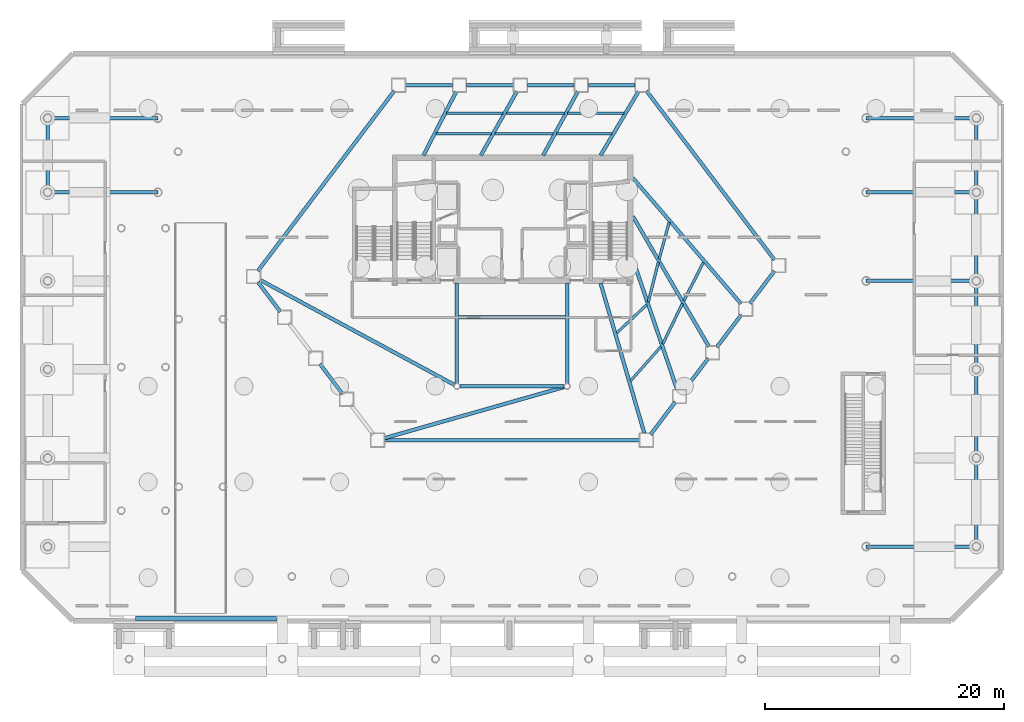
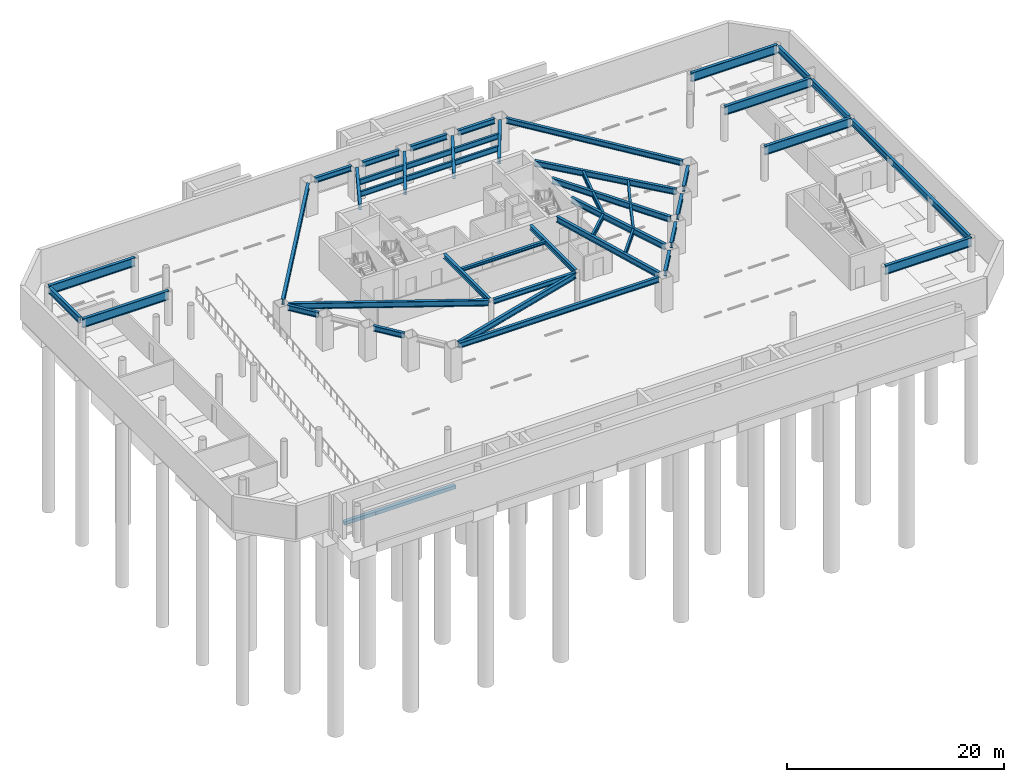
# One storey, part 7 of 19: 49 beams, 1 slab.
"""IFC4 building model written with IfcOpenShell, lengths in metres."""

from ifc_helpers import new_model, si_unit, direction, frame, origin, origin_2d, place, context, subcontext, project, spatial, polyline, i_section, outline, extrude, material, layer, layer_set, material_profile, profile_set, type_object, element, save


model = new_model("IFC4")

# Units and contexts
model_context = context("Model", 3, precision=1e-05, world=origin(), true_north=direction((0.0, 1.0)))
body_context = subcontext(model_context, "Body", "Model", "MODEL_VIEW")
ifc_project = project(units=[si_unit("LENGTHUNIT", "METRE"), si_unit("AREAUNIT", "SQUARE_METRE"), si_unit("VOLUMEUNIT", "CUBIC_METRE"), si_unit("PLANEANGLEUNIT", "RADIAN"), si_unit("MASSUNIT", "GRAM", prefix="KILO")], contexts=[model_context])

# Site, building, storey
site_placement = place(None, origin())
site = spatial("IfcSite", under=ifc_project, at=site_placement, CompositionType="ELEMENT")
building_placement = place(site_placement, origin())
building = spatial("IfcBuilding", under=site, at=building_placement, Name="Zarrinselat Tower", CompositionType="ELEMENT")
storey_placement = place(building_placement, frame((0.0, 0.0, -8.159912109375)))
storey = spatial("IfcBuildingStorey", under=building, at=storey_placement, Name="B02", CompositionType="ELEMENT", Elevation=-8.159912109375)

# Beams
ifc_material_1 = material(Name="Steel S355J2", Category="steel")
ifc_material_profile_1 = material_profile(ifc_material_1, i_section(OverallWidth=0.300048828125, OverallDepth=0.35009765625, WebThickness=0.010009765625, FlangeThickness=0.017578125, at=origin_2d()), Name="HEA 360")
ifc_profile_set_1 = profile_set([ifc_material_profile_1], Name="Steel S355J2")
beam_type_1 = type_object("IfcBeamType", Name="BM-HEA360", PredefinedType="LINTEL", material=ifc_profile_set_1)
beam_1_placement = place(storey_placement, frame((33.93994140625, 30.14990234375, 3.5849609375), z_axis=(1.0, 0.0, 0.0), x_axis=(0.0, 1.0, 0.0)))
element("IfcBeam", 1, at=beam_1_placement, inside=storey, type_object=beam_type_1, Name="B02 Lift Lobby Ceiling Beam", PredefinedType="LINTEL", context=body_context, shape_type="SweptSolid", body=[
    extrude(i_section(OverallWidth=0.300048828125, OverallDepth=0.35009765625, WebThickness=0.010009765625, FlangeThickness=0.017578125, at=origin_2d()), origin(), (0.0, 0.0, 1.0), 8.920166015625),
])
ifc_material_2 = material(Name="Steel S355J2", Category="steel")
ifc_material_profile_2 = material_profile(ifc_material_2, i_section(OverallWidth=0.300048828125, OverallDepth=0.550048828125, WebThickness=0.014892578125, FlangeThickness=0.029052734375, at=origin_2d()), Name="HEB 550")
ifc_profile_set_2 = profile_set([ifc_material_profile_2], Name="Steel S355J2")
beam_type_2 = type_object("IfcBeamType", Name="BM-HEB550", PredefinedType="BEAM", material=ifc_profile_set_2)
beam_2_placement = place(storey_placement, frame((34.0400390625, 24.39990234375, 3.48486328125), z_axis=(1.0, 0.0, 0.0), x_axis=(0.0, 1.0, 0.0)))
element("IfcBeam", 2, at=beam_2_placement, inside=storey, type_object=beam_type_2, Name="B02 Atrium Edge Beam S", PredefinedType="BEAM", context=body_context, shape_type="SweptSolid", body=[
    extrude(i_section(OverallWidth=0.300048828125, OverallDepth=0.550048828125, WebThickness=0.014892578125, FlangeThickness=0.029052734375, at=origin_2d()), origin(), (0.0, 0.0, 1.0), 8.719970703125),
])
for number, where, z_axis, x_axis, name in (
    (3, (33.800048828125, 24.639892578125, 3.48486328125), (0.0, 1.0, 0.0), (-1.0, 0.0, 0.0), "B02 Atrium Edge Beam W"),
    (4, (43.0, 24.639892578125, 3.48486328125), (0.0, 1.0, 0.0), (-1.0, 0.0, 0.0), "B02 Atrium Edge Beam E"),
):
    element("IfcBeam", number, at=place(storey_placement, frame(where, z_axis=z_axis, x_axis=x_axis)), inside=storey, type_object=beam_type_2, Name=name, PredefinedType="BEAM", context=body_context, shape_type="SweptSolid", body=[
        extrude(i_section(OverallWidth=0.300048828125, OverallDepth=0.550048828125, WebThickness=0.014892578125, FlangeThickness=0.029052734375, at=origin_2d()), origin(), (0.0, 0.0, 1.0), 8.3701171875),
    ])
ifc_material_3 = material(Name="Steel S355J2", Category="steel")
ifc_material_profile_3 = material_profile(ifc_material_3, i_section(OverallWidth=0.300048828125, OverallDepth=0.60009765625, WebThickness=0.015380859375, FlangeThickness=0.030029296875, at=origin_2d()), Name="HEB 600")
ifc_profile_set_3 = profile_set([ifc_material_profile_3], Name="Steel S355J2")
beam_type_3 = type_object("IfcBeamType", Name="BM-HEB600", PredefinedType="BEAM", material=ifc_profile_set_3)
beam_3_placement = place(storey_placement, frame((44.776611328125, 49.550048828125, 3.4599609375), z_axis=(1.0, 0.0, 0.0), x_axis=(0.0, 1.0, 0.0)))
element("IfcBeam", 5, at=beam_3_placement, inside=storey, type_object=beam_type_3, Name="B02 Perimeter Spandrel Girder SP01", PredefinedType="BEAM", context=body_context, shape_type="SweptSolid", body=[
    extrude(i_section(OverallWidth=0.300048828125, OverallDepth=0.60009765625, WebThickness=0.015380859375, FlangeThickness=0.030029296875, at=origin_2d()), origin(), (0.0, 0.0, 1.0), 3.912353515625),
])
beam_4_placement = place(storey_placement, frame((39.68798828125, 49.550048828125, 3.4599609375), z_axis=(1.0, 0.0, 0.0), x_axis=(0.0, 1.0, 0.0)))
element("IfcBeam", 6, at=beam_4_placement, inside=storey, type_object=beam_type_3, Name="B02 Perimeter Spandrel Girder SP02", PredefinedType="BEAM", context=body_context, shape_type="SweptSolid", body=[
    extrude(i_section(OverallWidth=0.300048828125, OverallDepth=0.60009765625, WebThickness=0.015380859375, FlangeThickness=0.030029296875, at=origin_2d()), origin(), (0.0, 0.0, 1.0), 3.91259765625),
])
beam_5_placement = place(storey_placement, frame((34.599609375, 49.550048828125, 3.4599609375), z_axis=(1.0, 0.0, 0.0), x_axis=(0.0, 1.0, 0.0)))
element("IfcBeam", 7, at=beam_5_placement, inside=storey, type_object=beam_type_3, Name="B02 Perimeter Spandrel Girder SP03", PredefinedType="BEAM", context=body_context, shape_type="SweptSolid", body=[
    extrude(i_section(OverallWidth=0.300048828125, OverallDepth=0.60009765625, WebThickness=0.015380859375, FlangeThickness=0.030029296875, at=origin_2d()), origin(), (0.0, 0.0, 1.0), 3.912353515625),
])
beam_6_placement = place(storey_placement, frame((29.510986328125, 49.550048828125, 3.4599609375), z_axis=(1.0, 0.0, 0.0), x_axis=(0.0, 1.0, 0.0)))
element("IfcBeam", 8, at=beam_6_placement, inside=storey, type_object=beam_type_3, Name="B02 Perimeter Spandrel Girder SP04", PredefinedType="BEAM", context=body_context, shape_type="SweptSolid", body=[
    extrude(i_section(OverallWidth=0.300048828125, OverallDepth=0.60009765625, WebThickness=0.015380859375, FlangeThickness=0.030029296875, at=origin_2d()), origin(), (0.0, 0.0, 1.0), 3.91259765625),
])
beam_7_placement = place(storey_placement, frame((17.170654296875, 34.03662109375, 3.4599609375), z_axis=(0.603848722447, 0.797098940157, 0.0), x_axis=(-0.797098940157, 0.603848722447, 0.0)))
element("IfcBeam", 9, at=beam_7_placement, inside=storey, type_object=beam_type_3, Name="B02 Perimeter Spandrel Girder SP05", PredefinedType="BEAM", context=body_context, shape_type="SweptSolid", body=[
    extrude(i_section(OverallWidth=0.300048828125, OverallDepth=0.60009765625, WebThickness=0.015380859375, FlangeThickness=0.030029296875, at=origin_2d()), origin(), (0.0, 0.0, 1.0), 18.874267578125),
])
beam_8_placement = place(storey_placement, frame((17.170654296875, 33.099365234375, 3.4599609375), z_axis=(0.603821437922, -0.797119609033, 0.0), x_axis=(0.797119609033, 0.603821437922, 0.0)))
element("IfcBeam", 10, at=beam_8_placement, inside=storey, type_object=beam_type_3, Name="B02 Perimeter Spandrel Girder SP06", PredefinedType="BEAM", context=body_context, shape_type="SweptSolid", body=[
    extrude(i_section(OverallWidth=0.300048828125, OverallDepth=0.60009765625, WebThickness=0.015380859375, FlangeThickness=0.030029296875, at=origin_2d()), origin(), (0.0, 0.0, 1.0), 3.112060546875),
])
beam_9_placement = place(storey_placement, frame((22.349365234375, 26.26318359375, 3.4599609375), z_axis=(0.603859198483, -0.797091003843, 0.0), x_axis=(0.797091003843, 0.603859198483, 0.0)))
element("IfcBeam", 11, at=beam_9_placement, inside=storey, type_object=beam_type_3, Name="B02 Perimeter Spandrel Girder SP08", PredefinedType="BEAM", context=body_context, shape_type="SweptSolid", body=[
    extrude(i_section(OverallWidth=0.300048828125, OverallDepth=0.60009765625, WebThickness=0.015380859375, FlangeThickness=0.030029296875, at=origin_2d()), origin(), (0.0, 0.0, 1.0), 3.11181640625),
])
beam_10_placement = place(storey_placement, frame((27.760986328125, 19.89599609375, 3.4599609375), z_axis=(1.0, 0.0, 0.0), x_axis=(0.0, 1.0, 0.0)))
element("IfcBeam", 12, at=beam_10_placement, inside=storey, type_object=beam_type_3, Name="B02 Perimeter Spandrel Girder SP10", PredefinedType="BEAM", context=body_context, shape_type="SweptSolid", body=[
    extrude(i_section(OverallWidth=0.300048828125, OverallDepth=0.60009765625, WebThickness=0.015380859375, FlangeThickness=0.030029296875, at=origin_2d()), origin(), (0.0, 0.0, 1.0), 21.278076171875),
])
for number, where, z_axis, x_axis, name in (
    (13, (49.982177734375, 20.36474609375, 3.4599609375), (0.603839725389, 0.797105755871, 0.0), (-0.797105755871, 0.603839725389, 0.0), "B02 Perimeter Spandrel Girder SP11"),
    (14, (52.74658203125, 24.013671875, 3.4599609375), (0.603794123872, 0.797140298804, 0.0), (-0.797140298804, 0.603794123872, 0.0), "B02 Perimeter Spandrel Girder SP12"),
    (15, (55.5107421875, 27.66259765625, 3.4599609375), (0.603839725389, 0.797105755871, 0.0), (-0.797105755871, 0.603839725389, 0.0), "B02 Perimeter Spandrel Girder SP13"),
):
    element("IfcBeam", number, at=place(storey_placement, frame(where, z_axis=z_axis, x_axis=x_axis)), inside=storey, type_object=beam_type_3, Name=name, PredefinedType="BEAM", context=body_context, shape_type="SweptSolid", body=[
        extrude(i_section(OverallWidth=0.300048828125, OverallDepth=0.60009765625, WebThickness=0.015380859375, FlangeThickness=0.030029296875, at=origin_2d()), origin(), (0.0, 0.0, 1.0), 3.40185546875),
    ])
beam_11_placement = place(storey_placement, frame((58.275146484375, 31.311767578125, 3.4599609375), z_axis=(0.603874269539, 0.797079586107, 0.0), x_axis=(-0.797079586107, 0.603874269539, 0.0)))
element("IfcBeam", 16, at=beam_11_placement, inside=storey, type_object=beam_type_3, Name="B02 Perimeter Spandrel Girder SP14", PredefinedType="BEAM", context=body_context, shape_type="SweptSolid", body=[
    extrude(i_section(OverallWidth=0.300048828125, OverallDepth=0.60009765625, WebThickness=0.015380859375, FlangeThickness=0.030029296875, at=origin_2d()), origin(), (0.0, 0.0, 1.0), 3.401611328125),
])
beam_12_placement = place(storey_placement, frame((49.632080078125, 49.081298828125, 3.4599609375), z_axis=(0.603851850525, -0.797096570446, 0.0), x_axis=(0.797096570446, 0.603851850525, 0.0)))
element("IfcBeam", 17, at=beam_12_placement, inside=storey, type_object=beam_type_3, Name="B02 Perimeter Spandrel Girder SP15", PredefinedType="BEAM", context=body_context, shape_type="SweptSolid", body=[
    extrude(i_section(OverallWidth=0.300048828125, OverallDepth=0.60009765625, WebThickness=0.015380859375, FlangeThickness=0.030029296875, at=origin_2d()), origin(), (0.0, 0.0, 1.0), 17.715087890625),
])
ifc_material_4 = material(Name="Steel S355J2", Category="steel")
ifc_material_profile_4 = material_profile(ifc_material_4, i_section(OverallWidth=0.300048828125, OverallDepth=0.64990234375, WebThickness=0.01611328125, FlangeThickness=0.031005859375, at=origin_2d()), Name="HEB 650")
ifc_profile_set_4 = profile_set([ifc_material_profile_4], Name="Steel S355J2")
beam_type_4 = type_object("IfcBeamType", Name="BM-HEB650", PredefinedType="BEAM", material=ifc_profile_set_4)
beam_13_placement = place(storey_placement, frame((45.800048828125, 43.68994140625, 3.434814453125), z_axis=(0.510264490313, 0.860017528848, 0.0), x_axis=(-0.860017528848, 0.510264490313, 0.0)))
element("IfcBeam", 18, at=beam_13_placement, inside=storey, type_object=beam_type_4, Name="B02 Radial Primary Girder RG01", PredefinedType="BEAM", context=body_context, shape_type="SweptSolid", body=[
    extrude(i_section(OverallWidth=0.300048828125, OverallDepth=0.64990234375, WebThickness=0.01611328125, FlangeThickness=0.031005859375, at=origin_2d()), origin(), (0.0, 0.0, 1.0), 6.2119140625),
])
beam_14_placement = place(storey_placement, frame((41.0, 43.68994140625, 3.434814453125), z_axis=(0.477950024599, 0.878387029723, 0.0), x_axis=(-0.878387029723, 0.477950024599, 0.0)))
element("IfcBeam", 19, at=beam_14_placement, inside=storey, type_object=beam_type_4, Name="B02 Radial Primary Girder RG02", PredefinedType="BEAM", context=body_context, shape_type="SweptSolid", body=[
    extrude(i_section(OverallWidth=0.300048828125, OverallDepth=0.64990234375, WebThickness=0.01611328125, FlangeThickness=0.031005859375, at=origin_2d()), origin(), (0.0, 0.0, 1.0), 6.0693359375),
])
beam_15_placement = place(storey_placement, frame((35.800048828125, 43.68994140625, 3.434814453125), z_axis=(0.490688992251, 0.87133478806, 0.0), x_axis=(-0.87133478806, 0.490688992251, 0.0)))
element("IfcBeam", 20, at=beam_15_placement, inside=storey, type_object=beam_type_4, Name="B02 Radial Primary Girder RG03", PredefinedType="BEAM", context=body_context, shape_type="SweptSolid", body=[
    extrude(i_section(OverallWidth=0.300048828125, OverallDepth=0.64990234375, WebThickness=0.01611328125, FlangeThickness=0.031005859375, at=origin_2d()), origin(), (0.0, 0.0, 1.0), 6.123291015625),
])
beam_16_placement = place(storey_placement, frame((31.0, 43.68994140625, 3.434814453125), z_axis=(0.457071554936, 0.889429926227, 0.0), x_axis=(-0.889429926227, 0.457071554936, 0.0)))
element("IfcBeam", 21, at=beam_16_placement, inside=storey, type_object=beam_type_4, Name="B02 Radial Primary Girder RG04", PredefinedType="BEAM", context=body_context, shape_type="SweptSolid", body=[
    extrude(i_section(OverallWidth=0.300048828125, OverallDepth=0.64990234375, WebThickness=0.01611328125, FlangeThickness=0.031005859375, at=origin_2d()), origin(), (0.0, 0.0, 1.0), 5.986572265625),
])
beam_17_placement = place(storey_placement, frame((17.34521484375, 33.281982421875, 3.434814453125), z_axis=(0.879987931642, -0.474996042262, 0.0), x_axis=(0.474996042262, 0.879987931642, 0.0)))
element("IfcBeam", 22, at=beam_17_placement, inside=storey, type_object=beam_type_4, Name="B02 Radial Primary Girder RG06", PredefinedType="BEAM", context=body_context, shape_type="SweptSolid", body=[
    extrude(i_section(OverallWidth=0.300048828125, OverallDepth=0.64990234375, WebThickness=0.01611328125, FlangeThickness=0.031005859375, at=origin_2d()), origin(), (0.0, 0.0, 1.0), 18.448974609375),
])
beam_18_placement = place(storey_placement, frame((27.751953125, 20.060791015625, 3.434814453125), z_axis=(0.961813317546, 0.273706306451, 0.0), x_axis=(-0.273706306451, 0.961813317546, 0.0)))
element("IfcBeam", 23, at=beam_18_placement, inside=storey, type_object=beam_type_4, Name="B02 Radial Primary Girder RG10", PredefinedType="BEAM", context=body_context, shape_type="SweptSolid", body=[
    extrude(i_section(OverallWidth=0.300048828125, OverallDepth=0.64990234375, WebThickness=0.01611328125, FlangeThickness=0.031005859375, at=origin_2d()), origin(), (0.0, 0.0, 1.0), 15.603515625),
])
beam_19_placement = place(storey_placement, frame((45.800048828125, 33.010009765625, 3.434814453125), z_axis=(0.280146446872, -0.959957274208, 0.0), x_axis=(0.959957274208, 0.280146446872, 0.0)))
element("IfcBeam", 24, at=beam_19_placement, inside=storey, type_object=beam_type_4, Name="B02 Radial Primary Girder RG11", PredefinedType="BEAM", context=body_context, shape_type="SweptSolid", body=[
    extrude(i_section(OverallWidth=0.300048828125, OverallDepth=0.64990234375, WebThickness=0.01611328125, FlangeThickness=0.031005859375, at=origin_2d()), origin(), (0.0, 0.0, 1.0), 13.05908203125),
])
beam_20_placement = place(storey_placement, frame((48.5, 35.0, 3.434814453125), z_axis=(0.321657151758, -0.946856206994, 0.0), x_axis=(0.946856206994, 0.321657151758, 0.0)))
element("IfcBeam", 25, at=beam_20_placement, inside=storey, type_object=beam_type_4, Name="B02 Radial Primary Girder RG12", PredefinedType="BEAM", context=body_context, shape_type="SweptSolid", body=[
    extrude(i_section(OverallWidth=0.300048828125, OverallDepth=0.64990234375, WebThickness=0.01611328125, FlangeThickness=0.031005859375, at=origin_2d()), origin(), (0.0, 0.0, 1.0), 11.495849609375),
])
beam_21_placement = place(storey_placement, frame((48.5, 38.60009765625, 3.434814453125), z_axis=(0.50399747949, -0.863705123678, 0.0), x_axis=(0.863705123678, 0.50399747949, 0.0)))
element("IfcBeam", 26, at=beam_21_placement, inside=storey, type_object=beam_type_4, Name="B02 Radial Primary Girder RG13", PredefinedType="BEAM", context=body_context, shape_type="SweptSolid", body=[
    extrude(i_section(OverallWidth=0.300048828125, OverallDepth=0.64990234375, WebThickness=0.01611328125, FlangeThickness=0.031005859375, at=origin_2d()), origin(), (0.0, 0.0, 1.0), 12.603759765625),
])
beam_22_placement = place(storey_placement, frame((48.5, 41.800048828125, 3.434814453125), z_axis=(0.651921697531, -0.758286291771, 0.0), x_axis=(0.758286291771, 0.651921697531, 0.0)))
element("IfcBeam", 27, at=beam_22_placement, inside=storey, type_object=beam_type_4, Name="B02 Radial Primary Girder RG14", PredefinedType="BEAM", context=body_context, shape_type="SweptSolid", body=[
    extrude(i_section(OverallWidth=0.300048828125, OverallDepth=0.64990234375, WebThickness=0.01611328125, FlangeThickness=0.031005859375, at=origin_2d()), origin(), (0.0, 0.0, 1.0), 13.84765625),
])
ifc_material_5 = material(Name="Steel S355J2", Category="steel")
ifc_material_profile_5 = material_profile(ifc_material_5, i_section(OverallWidth=0.300048828125, OverallDepth=0.699951171875, WebThickness=0.01708984375, FlangeThickness=0.031982421875, at=origin_2d()), Name="HEB 700")
ifc_profile_set_5 = profile_set([ifc_material_profile_5], Name="Steel S355J2")
beam_type_5 = type_object("IfcBeamType", Name="BM-HEB700", PredefinedType="SPANDREL", material=ifc_profile_set_5)
beam_23_placement = place(storey_placement, frame((-0.39990234375, 40.89990234375, 3.409912109375), z_axis=(0.0, 1.0, 0.0), x_axis=(-1.0, 0.0, 0.0)))
element("IfcBeam", 28, at=beam_23_placement, inside=storey, type_object=beam_type_5, Name="B02 Podium Perimeter Beam W-40", PredefinedType="SPANDREL", context=body_context, shape_type="SweptSolid", body=[
    extrude(i_section(OverallWidth=0.300048828125, OverallDepth=0.699951171875, WebThickness=0.01708984375, FlangeThickness=0.031982421875, at=origin_2d()), origin(), (0.0, 0.0, 1.0), 5.60009765625),
])
beam_24_placement = place(storey_placement, frame((77.199951171875, 11.300048828125, 3.409912109375), z_axis=(0.0, 1.0, 0.0), x_axis=(-1.0, 0.0, 0.0)))
element("IfcBeam", 29, at=beam_24_placement, inside=storey, type_object=beam_type_5, Name="B02 Podium Perimeter Beam E-11", PredefinedType="SPANDREL", context=body_context, shape_type="SweptSolid", body=[
    extrude(i_section(OverallWidth=0.300048828125, OverallDepth=0.699951171875, WebThickness=0.01708984375, FlangeThickness=0.031982421875, at=origin_2d()), origin(), (0.0, 0.0, 1.0), 21.599853515625),
])
beam_25_placement = place(storey_placement, frame((77.199951171875, 33.5, 3.409912109375), z_axis=(0.0, 1.0, 0.0), x_axis=(-1.0, 0.0, 0.0)))
element("IfcBeam", 30, at=beam_25_placement, inside=storey, type_object=beam_type_5, Name="B02 Podium Perimeter Beam E-33", PredefinedType="SPANDREL", context=body_context, shape_type="SweptSolid", body=[
    extrude(i_section(OverallWidth=0.300048828125, OverallDepth=0.699951171875, WebThickness=0.01708984375, FlangeThickness=0.031982421875, at=origin_2d()), origin(), (0.0, 0.0, 1.0), 6.800048828125),
])
beam_26_placement = place(storey_placement, frame((77.199951171875, 40.89990234375, 3.409912109375), z_axis=(0.0, 1.0, 0.0), x_axis=(-1.0, 0.0, 0.0)))
element("IfcBeam", 31, at=beam_26_placement, inside=storey, type_object=beam_type_5, Name="B02 Podium Perimeter Beam E-40", PredefinedType="SPANDREL", context=body_context, shape_type="SweptSolid", body=[
    extrude(i_section(OverallWidth=0.300048828125, OverallDepth=0.699951171875, WebThickness=0.01708984375, FlangeThickness=0.031982421875, at=origin_2d()), origin(), (0.0, 0.0, 1.0), 5.60009765625),
])
ifc_material_6 = material(Name="Steel S355J2", Category="steel")
ifc_material_profile_6 = material_profile(ifc_material_6, i_section(OverallWidth=0.219970703125, OverallDepth=0.60009765625, WebThickness=0.011962890625, FlangeThickness=0.01904296875, at=origin_2d()), Name="IPE 600")
ifc_profile_set_6 = profile_set([ifc_material_profile_6], Name="Steel S355J2")
beam_type_6 = type_object("IfcBeamType", Name="BM-IPE600", PredefinedType="JOIST", material=ifc_profile_set_6)
beam_27_placement = place(storey_placement, frame((48.307373046875, 24.841064453125, 3.4599609375), z_axis=(0.662804736598, 0.748792281707, 0.0), x_axis=(-0.748792281707, 0.662804736598, 0.0)))
element("IfcBeam", 32, at=beam_27_placement, inside=storey, type_object=beam_type_6, Name="B02 Composite Floor Joist 3-1", PredefinedType="JOIST", context=body_context, shape_type="SweptSolid", body=[
    extrude(i_section(OverallWidth=0.219970703125, OverallDepth=0.60009765625, WebThickness=0.011962890625, FlangeThickness=0.01904296875, at=origin_2d()), origin(), (0.0, 0.0, 1.0), 3.8330078125),
])
beam_28_placement = place(storey_placement, frame((47.145751953125, 28.843505859375, 3.4599609375), z_axis=(0.728530747555, 0.685013101967, 0.0), x_axis=(-0.685013101967, 0.728530747555, 0.0)))
element("IfcBeam", 33, at=beam_28_placement, inside=storey, type_object=beam_type_6, Name="B02 Composite Floor Joist 3-2", PredefinedType="JOIST", context=body_context, shape_type="SweptSolid", body=[
    extrude(i_section(OverallWidth=0.219970703125, OverallDepth=0.60009765625, WebThickness=0.011962890625, FlangeThickness=0.01904296875, at=origin_2d()), origin(), (0.0, 0.0, 1.0), 3.444580078125),
])
beam_29_placement = place(storey_placement, frame((51.001708984375, 27.94189453125, 3.4599609375), z_axis=(0.437666353615, 0.899137454961, 0.0), x_axis=(-0.899137454961, 0.437666353615, 0.0)))
element("IfcBeam", 34, at=beam_29_placement, inside=storey, type_object=beam_type_6, Name="B02 Composite Floor Joist 4-1", PredefinedType="JOIST", context=body_context, shape_type="SweptSolid", body=[
    extrude(i_section(OverallWidth=0.219970703125, OverallDepth=0.60009765625, WebThickness=0.011962890625, FlangeThickness=0.01904296875, at=origin_2d()), origin(), (0.0, 0.0, 1.0), 3.722900390625),
])
beam_30_placement = place(storey_placement, frame((49.791259765625, 31.434814453125, 3.4599609375), z_axis=(0.243205254387, 0.96997484722, 0.0), x_axis=(-0.96997484722, 0.243205254387, 0.0)))
element("IfcBeam", 35, at=beam_30_placement, inside=storey, type_object=beam_type_6, Name="B02 Composite Floor Joist 4-2", PredefinedType="JOIST", context=body_context, shape_type="SweptSolid", body=[
    extrude(i_section(OverallWidth=0.219970703125, OverallDepth=0.60009765625, WebThickness=0.011962890625, FlangeThickness=0.01904296875, at=origin_2d()), origin(), (0.0, 0.0, 1.0), 3.43115234375),
])
beam_31_placement = place(storey_placement, frame((52.756103515625, 31.539794921875, 3.4599609375), z_axis=(0.455144518373, 0.890417580349, 0.0), x_axis=(-0.890417580349, 0.455144518373, 0.0)))
element("IfcBeam", 36, at=beam_31_placement, inside=storey, type_object=beam_type_6, Name="B02 Composite Floor Joist 5-1", PredefinedType="JOIST", context=body_context, shape_type="SweptSolid", body=[
    extrude(i_section(OverallWidth=0.219970703125, OverallDepth=0.60009765625, WebThickness=0.011962890625, FlangeThickness=0.01904296875, at=origin_2d()), origin(), (0.0, 0.0, 1.0), 3.599853515625),
])
beam_32_placement = place(storey_placement, frame((50.69677734375, 35.03369140625, 3.4599609375), z_axis=(0.26337130416, 0.964694540331, 0.0), x_axis=(-0.964694540331, 0.26337130416, 0.0)))
element("IfcBeam", 37, at=beam_32_placement, inside=storey, type_object=beam_type_6, Name="B02 Composite Floor Joist 5-2", PredefinedType="JOIST", context=body_context, shape_type="SweptSolid", body=[
    extrude(i_section(OverallWidth=0.219970703125, OverallDepth=0.60009765625, WebThickness=0.011962890625, FlangeThickness=0.01904296875, at=origin_2d()), origin(), (0.0, 0.0, 1.0), 3.173095703125),
])
beam_33_placement = place(storey_placement, frame((43.054443359375, 47.208740234375, 3.4599609375), z_axis=(0.999998864297, 0.00150711813, 0.0), x_axis=(-0.00150711813, 0.999998864297, 0.0)))
element("IfcBeam", 38, at=beam_33_placement, inside=storey, type_object=beam_type_6, Name="B02 Composite Floor Joist 7-1", PredefinedType="JOIST", context=body_context, shape_type="SweptSolid", body=[
    extrude(i_section(OverallWidth=0.219970703125, OverallDepth=0.60009765625, WebThickness=0.011962890625, FlangeThickness=0.01904296875, at=origin_2d()), origin(), (0.0, 0.0, 1.0), 4.69775390625),
])
beam_34_placement = place(storey_placement, frame((42.126220703125, 45.502685546875, 3.4599609375), z_axis=(0.999999684692, 0.000794112725, 0.0), x_axis=(-0.000794112725, 0.999999684692, 0.0)))
element("IfcBeam", 39, at=beam_34_placement, inside=storey, type_object=beam_type_6, Name="B02 Composite Floor Joist 7-2", PredefinedType="JOIST", context=body_context, shape_type="SweptSolid", body=[
    extrude(i_section(OverallWidth=0.219970703125, OverallDepth=0.60009765625, WebThickness=0.011962890625, FlangeThickness=0.01904296875, at=origin_2d()), origin(), (0.0, 0.0, 1.0), 4.611572265625),
])
beam_35_placement = place(storey_placement, frame((37.923095703125, 47.21142578125, 3.4599609375), z_axis=(0.99999984678, -0.000553570445, 0.0), x_axis=(0.000553570445, 0.99999984678, 0.0)))
element("IfcBeam", 40, at=beam_35_placement, inside=storey, type_object=beam_type_6, Name="B02 Composite Floor Joist 8-1", PredefinedType="JOIST", context=body_context, shape_type="SweptSolid", body=[
    extrude(i_section(OverallWidth=0.219970703125, OverallDepth=0.60009765625, WebThickness=0.011962890625, FlangeThickness=0.01904296875, at=origin_2d()), origin(), (0.0, 0.0, 1.0), 4.851318359375),
])
beam_36_placement = place(storey_placement, frame((36.961669921875, 45.50390625, 3.4599609375), z_axis=(0.999999968772, -0.000249912523, 0.0), x_axis=(0.000249912523, 0.999999968772, 0.0)))
element("IfcBeam", 41, at=beam_36_placement, inside=storey, type_object=beam_type_6, Name="B02 Composite Floor Joist 8-2", PredefinedType="JOIST", context=body_context, shape_type="SweptSolid", body=[
    extrude(i_section(OverallWidth=0.219970703125, OverallDepth=0.60009765625, WebThickness=0.011962890625, FlangeThickness=0.01904296875, at=origin_2d()), origin(), (0.0, 0.0, 1.0), 4.884521484375),
])
beam_37_placement = place(storey_placement, frame((32.946044921875, 47.204345703125, 3.4599609375), z_axis=(0.99999894094, 0.001455375557, 0.0), x_axis=(-0.001455375557, 0.99999894094, 0.0)))
element("IfcBeam", 42, at=beam_37_placement, inside=storey, type_object=beam_type_6, Name="B02 Composite Floor Joist 9-1", PredefinedType="JOIST", context=body_context, shape_type="SweptSolid", body=[
    extrude(i_section(OverallWidth=0.219970703125, OverallDepth=0.60009765625, WebThickness=0.011962890625, FlangeThickness=0.01904296875, at=origin_2d()), origin(), (0.0, 0.0, 1.0), 4.697021484375),
])
beam_38_placement = place(storey_placement, frame((32.0703125, 45.50048828125, 3.4599609375), z_axis=(0.999999725303, 0.000741211148, 0.0), x_axis=(-0.000741211148, 0.999999725303, 0.0)))
element("IfcBeam", 43, at=beam_38_placement, inside=storey, type_object=beam_type_6, Name="B02 Composite Floor Joist 9-2", PredefinedType="JOIST", context=body_context, shape_type="SweptSolid", body=[
    extrude(i_section(OverallWidth=0.219970703125, OverallDepth=0.60009765625, WebThickness=0.011962890625, FlangeThickness=0.01904296875, at=origin_2d()), origin(), (0.0, 0.0, 1.0), 4.611328125),
])
ifc_material_7 = material(Name="Steel S460M", Category="steel")
ifc_material_profile_7 = material_profile(ifc_material_7, i_section(OverallWidth=0.302001953125, OverallDepth=1.008056640625, WebThickness=0.02099609375, FlangeThickness=0.0400390625, at=origin_2d()), Name="HEM 1000")
ifc_profile_set_7 = profile_set([ifc_material_profile_7], Name="Steel S460M")
beam_type_7 = type_object("IfcBeamType", Name="BM-PDTR-HEM1000", PredefinedType="BEAM", material=ifc_profile_set_7)
for number, where, z_axis, x_axis, name in (
    (44, (-0.39990234375, 40.60009765625, 3.255859375), (1.0, 0.0, 0.0), (0.0, 1.0, 0.0), "B02 Podium Transfer Girder W-40"),
    (45, (-0.39990234375, 46.800048828125, 3.255859375), (1.0, 0.0, 0.0), (0.0, 1.0, 0.0), "B02 Podium Transfer Girder W-46"),
    (46, (68.0, 11.0, 3.255859375), (1.0, 0.0, 0.0), (0.0, 1.0, 0.0), "B02 Podium Transfer Girder E-11"),
    (47, (68.0, 33.199951171875, 3.255859375), (1.0, 0.0, 0.0), (0.0, 1.0, 0.0), "B02 Podium Transfer Girder E-33"),
    (48, (68.0, 40.60009765625, 3.255859375), (1.0, 0.0, 0.0), (0.0, 1.0, 0.0), "B02 Podium Transfer Girder E-40"),
    (49, (68.0, 46.800048828125, 3.255859375), (1.0, 0.0, 0.0), (0.0, 1.0, 0.0), "B02 Podium Transfer Girder E-46"),
):
    element("IfcBeam", number, at=place(storey_placement, frame(where, z_axis=z_axis, x_axis=x_axis)), inside=storey, type_object=beam_type_7, Name=name, PredefinedType="BEAM", context=body_context, shape_type="SweptSolid", body=[
        extrude(i_section(OverallWidth=0.302001953125, OverallDepth=1.008056640625, WebThickness=0.02099609375, FlangeThickness=0.0400390625, at=origin_2d()), origin(), (0.0, 0.0, 1.0), 9.199951171875),
    ])

# Slab
ifc_material_8 = material(Name="Concrete C50/60", Category="concrete")
ifc_layer = layer(ifc_material_8, 0.39990234375)
ifc_layer_set = layer_set([ifc_layer], Name="Concrete C50/60")
slab_type = type_object("IfcSlabType", Name="SLB-BASESLAB-400-SL-BS400", PredefinedType="BASESLAB", material=ifc_layer_set)
slab_placement = place(storey_placement, frame((0.0, 0.0, -0.400146484375)))
element("IfcSlab", 50, at=slab_placement, inside=storey, type_object=slab_type, Name="B02 Basement Base Slab Bay 2", PredefinedType="BASESLAB", context=body_context, shape_type="SweptSolid", body=[
    extrude(outline(polyline([(10.215087890625, 4.800048828125), (10.21484375, 4.801513671875), (10.214599609375, 4.802978515625), (10.21435546875, 4.804443359375), (10.2138671875, 4.8056640625), (10.213134765625, 4.80712890625), (10.21240234375, 4.808349609375), (10.211669921875, 4.8095703125), (10.210693359375, 4.810546875), (10.20947265625, 4.8115234375), (10.208251953125, 4.8125), (10.20703125, 4.813232421875), (10.205810546875, 4.81396484375), (10.204345703125, 4.814453125), (10.202880859375, 4.814697265625), (10.201416015625, 4.81494140625), (10.199951171875, 4.81494140625), (6.925048828125, 4.81494140625), (6.925048828125, 5.18505859375), (18.735107421875, 5.18505859375), (18.735107421875, 4.800048828125), (10.215087890625, 4.800048828125)])), origin(), (0.0, 0.0, 1.0), 0.400146484375),
])

save(model, "model.ifc")
